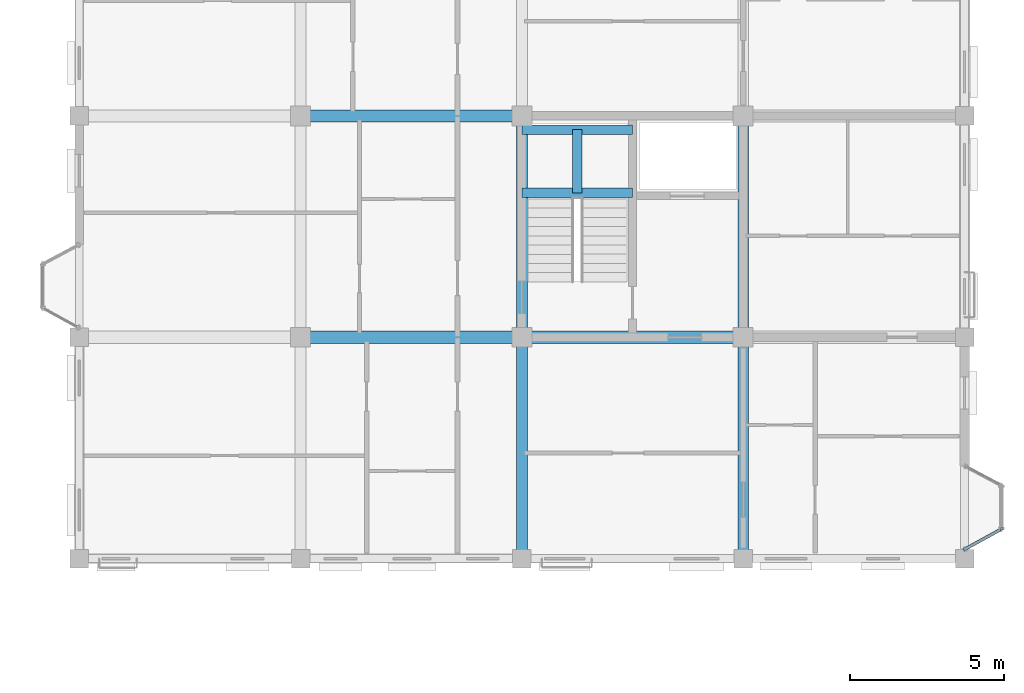
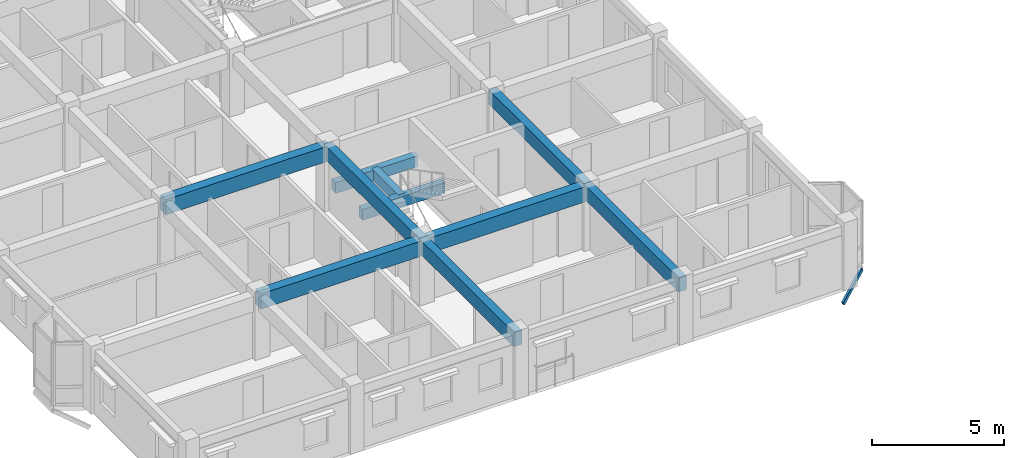
# One storey, part 49 of 124: 10 beams, 1 member.
"""IFC4 building model written with IfcOpenShell, lengths in metres."""

from ifc_helpers import new_model, si_unit, direction, frame, origin, origin_2d, place, context, subcontext, project, spatial, rectangle, hollow_rectangle, extrude, material, material_profile, profile_set, type_object, element, save


model = new_model("IFC4")

# Units and contexts
model_context = context("Model", 3, precision=1e-05, world=origin(), true_north=direction((0.0, 1.0)))
body_context = subcontext(model_context, "Body", "Model", "MODEL_VIEW")
ifc_project = project(units=[si_unit("LENGTHUNIT", "METRE"), si_unit("AREAUNIT", "SQUARE_METRE"), si_unit("VOLUMEUNIT", "CUBIC_METRE"), si_unit("PLANEANGLEUNIT", "RADIAN"), si_unit("MASSUNIT", "GRAM", prefix="KILO"), si_unit("THERMODYNAMICTEMPERATUREUNIT", "KELVIN"), si_unit("POWERUNIT", "WATT")], contexts=[model_context])

# Site, building, storey
site_placement = place(None, origin())
site = spatial("IfcSite", under=ifc_project, at=site_placement, CompositionType="ELEMENT")
building_placement = place(site_placement, origin())
building = spatial("IfcBuilding", under=site, at=building_placement, Name="Tavuni Mirador Residences", CompositionType="ELEMENT")
storey_placement = place(building_placement, frame((0.0, 0.0, 7.64990234375)))
storey = spatial("IfcBuildingStorey", under=building, at=storey_placement, Name="L02", CompositionType="ELEMENT", Elevation=7.64990234375)

# Beams
ifc_material_1 = material(Name="Precast concrete C40/50", Category="concrete")
ifc_material_profile_1 = material_profile(ifc_material_1, rectangle(XDim=0.300048828125, YDim=0.5, at=origin_2d()), Name="PC 300x500", Category="concrete")
ifc_profile_set_1 = profile_set([ifc_material_profile_1], Name="Precast concrete C40/50")
beam_type_1 = type_object("IfcBeamType", Name="BT-B500", PredefinedType="BEAM", material=ifc_profile_set_1)
for number, where, z_axis, x_axis, name in (
    (1, (104.39990234375, 98.300048828125, 1.14501953125), (1.0, 0.0, 0.0), (0.0, 1.0, 0.0), "HLB1-C7-L02"),
    (2, (104.39990234375, 100.35009765625, 1.14501953125), (1.0, 0.0, 0.0), (0.0, 1.0, 0.0), "HLB2-C7-L02"),
):
    element("IfcBeam", number, at=place(storey_placement, frame(where, z_axis=z_axis, x_axis=x_axis)), inside=storey, type_object=beam_type_1, Name=name, PredefinedType="BEAM", context=body_context, shape_type="SweptSolid", body=[
        extrude(rectangle(XDim=0.300048828125, YDim=0.5, at=origin_2d()), origin(), (0.0, 0.0, 1.0), 3.60009765625),
    ])
beam_1_placement = place(storey_placement, frame((106.199951171875, 98.300048828125, 1.14501953125), z_axis=(0.0, 1.0, 0.0), x_axis=(-1.0, 0.0, 0.0)))
element("IfcBeam", 3, at=beam_1_placement, inside=storey, type_object=beam_type_1, Name="HLB3-C7-L02", PredefinedType="BEAM", context=body_context, shape_type="SweptSolid", body=[
    extrude(rectangle(XDim=0.300048828125, YDim=0.5, at=origin_2d()), origin(), (0.0, 0.0, 1.0), 2.050048828125),
])
ifc_material_profile_2 = material_profile(ifc_material_1, rectangle(XDim=0.35009765625, YDim=0.64990234375, at=origin_2d()), Name="PC 350x650", Category="concrete")
ifc_profile_set_2 = profile_set([ifc_material_profile_2], Name="Precast concrete C40/50")
beam_type_2 = type_object("IfcBeamType", Name="BT-B650", PredefinedType="BEAM", material=ifc_profile_set_2)
beam_2_placement = place(storey_placement, frame((104.39990234375, 86.39990234375, 2.565185546875), z_axis=(0.0, 1.0, 0.0), x_axis=(-1.0, 0.0, 0.0)))
element("IfcBeam", 4, at=beam_2_placement, inside=storey, type_object=beam_type_2, Name="BMY-BLK-D-L02-02-00", PredefinedType="BEAM", context=body_context, shape_type="SweptSolid", body=[
    extrude(rectangle(XDim=0.35009765625, YDim=0.64990234375, at=origin_2d()), origin(), (0.0, 0.0, 1.0), 7.2001953125),
])
beam_3_placement = place(storey_placement, frame((104.39990234375, 93.60009765625, 2.565185546875), z_axis=(0.0, 1.0, 0.0), x_axis=(-1.0, 0.0, 0.0)))
element("IfcBeam", 5, at=beam_3_placement, inside=storey, type_object=beam_type_2, Name="BMY-BLK-D-L02-02-01", PredefinedType="BEAM", context=body_context, shape_type="SweptSolid", body=[
    extrude(rectangle(XDim=0.35009765625, YDim=0.64990234375, at=origin_2d()), origin(), (0.0, 0.0, 1.0), 7.199951171875),
])
beam_4_placement = place(storey_placement, frame((111.60009765625, 86.39990234375, 2.565185546875), z_axis=(0.0, 1.0, 0.0), x_axis=(-1.0, 0.0, 0.0)))
element("IfcBeam", 6, at=beam_4_placement, inside=storey, type_object=beam_type_2, Name="BMY-BLK-D-L02-03-00", PredefinedType="BEAM", context=body_context, shape_type="SweptSolid", body=[
    extrude(rectangle(XDim=0.35009765625, YDim=0.64990234375, at=origin_2d()), origin(), (0.0, 0.0, 1.0), 7.2001953125),
])
beam_5_placement = place(storey_placement, frame((111.60009765625, 93.60009765625, 2.565185546875), z_axis=(0.0, 1.0, 0.0), x_axis=(-1.0, 0.0, 0.0)))
element("IfcBeam", 7, at=beam_5_placement, inside=storey, type_object=beam_type_2, Name="BMY-BLK-D-L02-03-01", PredefinedType="BEAM", context=body_context, shape_type="SweptSolid", body=[
    extrude(rectangle(XDim=0.35009765625, YDim=0.64990234375, at=origin_2d()), origin(), (0.0, 0.0, 1.0), 7.199951171875),
])
ifc_material_profile_3 = material_profile(ifc_material_1, rectangle(XDim=0.39990234375, YDim=0.699951171875, at=origin_2d()), Name="PC 400x700", Category="concrete")
ifc_profile_set_3 = profile_set([ifc_material_profile_3], Name="Precast concrete C40/50")
beam_type_3 = type_object("IfcBeamType", Name="BT-B700", PredefinedType="BEAM", material=ifc_profile_set_3)
beam_6_placement = place(storey_placement, frame((97.199951171875, 93.60009765625, 2.5400390625), z_axis=(1.0, 0.0, 0.0), x_axis=(0.0, 1.0, 0.0)))
element("IfcBeam", 8, at=beam_6_placement, inside=storey, type_object=beam_type_3, Name="BMX-BLK-D-L02-01-01", PredefinedType="BEAM", context=body_context, shape_type="SweptSolid", body=[
    extrude(rectangle(XDim=0.39990234375, YDim=0.699951171875, at=origin_2d()), origin(), (0.0, 0.0, 1.0), 7.199951171875),
])
beam_7_placement = place(storey_placement, frame((104.39990234375, 93.60009765625, 2.5400390625), z_axis=(1.0, 0.0, 0.0), x_axis=(0.0, 1.0, 0.0)))
element("IfcBeam", 9, at=beam_7_placement, inside=storey, type_object=beam_type_3, Name="BMX-BLK-D-L02-02-01", PredefinedType="BEAM", context=body_context, shape_type="SweptSolid", body=[
    extrude(rectangle(XDim=0.39990234375, YDim=0.699951171875, at=origin_2d()), origin(), (0.0, 0.0, 1.0), 7.2001953125),
])
beam_8_placement = place(storey_placement, frame((97.199951171875, 100.800048828125, 2.5400390625), z_axis=(1.0, 0.0, 0.0), x_axis=(0.0, 1.0, 0.0)))
element("IfcBeam", 10, at=beam_8_placement, inside=storey, type_object=beam_type_3, Name="BMX-BLK-D-L02-01-02", PredefinedType="BEAM", context=body_context, shape_type="SweptSolid", body=[
    extrude(rectangle(XDim=0.39990234375, YDim=0.699951171875, at=origin_2d()), origin(), (0.0, 0.0, 1.0), 7.199951171875),
])

# Member
ifc_material_2 = material(Name="Structural steel S355", Category="steel")
ifc_material_profile_4 = material_profile(ifc_material_2, hollow_rectangle(XDim=0.10009765625, YDim=0.179931640625, WallThickness=0.008056640625, at=origin_2d()), Name="RHS 180x100x8.0", Category="steel")
ifc_profile_set_4 = profile_set([ifc_material_profile_4], Name="Structural steel S355")
member_type = type_object("IfcMemberType", Name="MT-BR-RHS180", PredefinedType="BRACE", material=ifc_profile_set_4)
member_placement = place(storey_placement, frame((118.800048828125, 86.699951171875, -1.0498046875), z_axis=(0.758996957459, 0.41756414506, 0.499563612895), x_axis=(-0.482021392732, 0.876159447218, 0.0)))
element("IfcMember", 11, at=member_placement, inside=storey, type_object=member_type, Name="MBRK-MIR-D-E1-L02-1", PredefinedType="BRACE", context=body_context, shape_type="SweptSolid", body=[
    extrude(hollow_rectangle(XDim=0.10009765625, YDim=0.179931640625, WallThickness=0.008056640625, at=origin_2d()), origin(), (0.0, 0.0, 1.0), 1.5810546875),
])

save(model, "model.ifc")
